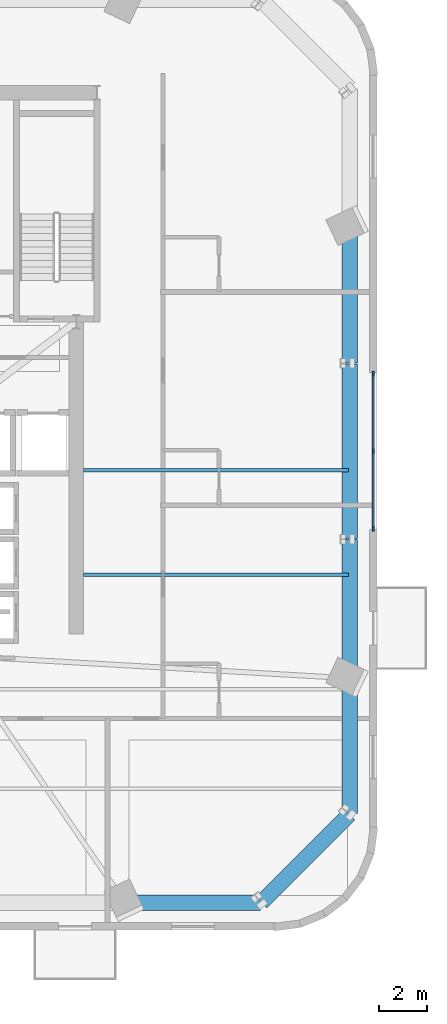
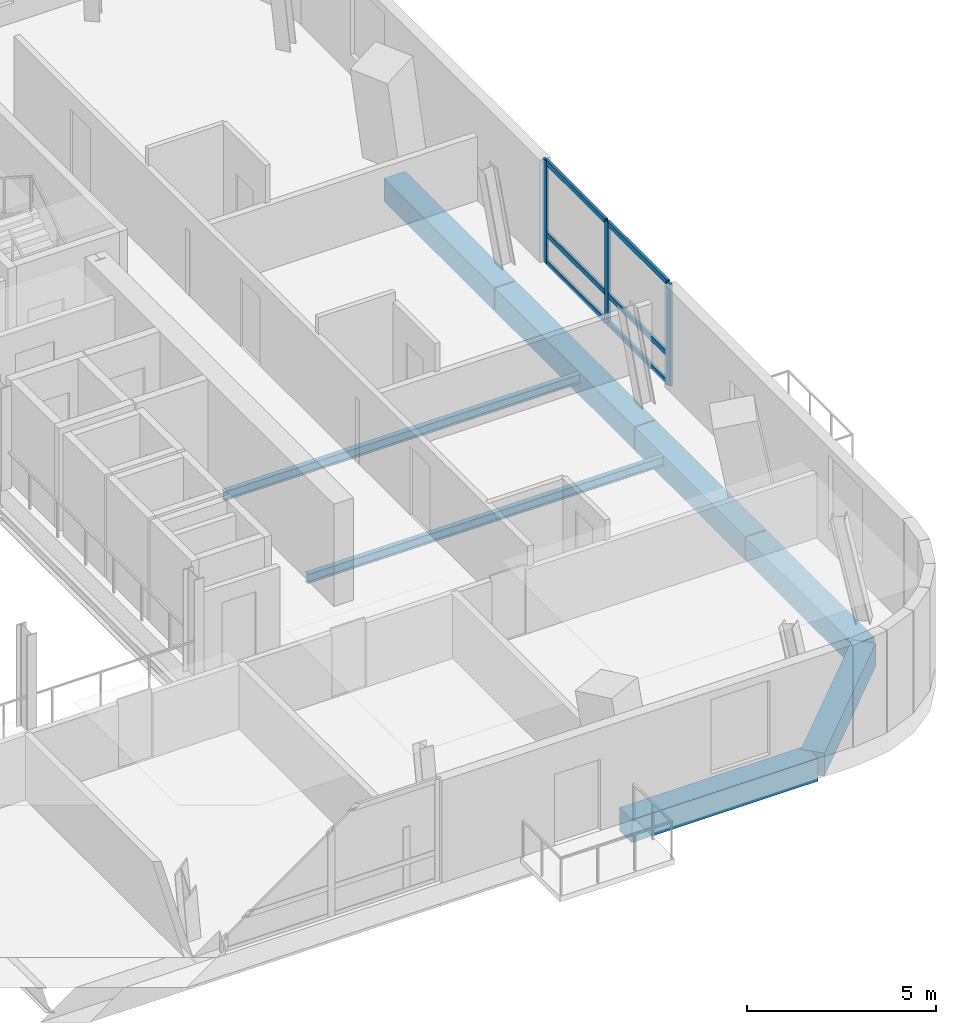
# One storey, part 4 of 13: 9 members, 8 beams, 1 element without a shape of its own.
"""IFC4 building model written with IfcOpenShell, lengths in metres."""

import ifcopenshell
import ifcopenshell.guid

model = None  # the IFC model being written
_history = None  # IfcOwnerHistory: only IFC2X3 demands one
_inside = {}  # id of a spatial element -> (the spatial element, [elements in it])
_under = {}  # id of a project, library or spatial element -> (it, [spatial elements below it])
_declared = {}  # id of a project -> (the project, [libraries it declares])
_typed = {}  # id of a type object -> (the type object, [elements of that type])
_made_of = {}  # id of a material, layer set ... -> (it, [elements and type objects made of it])


def new_model(schema):
    """Start an empty IFC model of exactly this schema.

    Asked for "IFC4X3", IfcOpenShell would pick the latest addendum, in which some entities
    have other attributes; the version numbers below select the first issue.
    IFC2X3 requires an IfcOwnerHistory on every rooted entity: one is made here for all.
    """
    global model, _history
    if schema == "IFC4X3":
        model = ifcopenshell.file(schema_version=(4, 3, 0, 0))
    else:
        model = ifcopenshell.file(schema=schema)
    _inside.clear()
    _under.clear()
    _declared.clear()
    _typed.clear()
    _made_of.clear()
    _history = None
    if model.schema == "IFC2X3":
        org = make("IfcOrganization", Name="unknown")
        user = make(
            "IfcPersonAndOrganization",
            ThePerson=make("IfcPerson", FamilyName="unknown"),
            TheOrganization=org,
        )
        app = make(
            "IfcApplication",
            ApplicationDeveloper=org,
            Version="unknown",
            ApplicationFullName="unknown",
            ApplicationIdentifier="unknown",
        )
        _history = make(
            "IfcOwnerHistory",
            OwningUser=user,
            OwningApplication=app,
            ChangeAction="ADDED",
            CreationDate=0,
        )
    return model


def make(cls, **values):
    """One entity of the class cls with the attributes given. An attribute that is None is left unset."""
    return model.create_entity(
        cls, **{name: value for name, value in values.items() if value is not None}
    )


def rooted(cls, **values):
    """An entity with a GlobalId (a new one), such as an element, a storey or a relation."""
    return make(cls, GlobalId=ifcopenshell.guid.new(), OwnerHistory=_history, **values)


def si_unit(unit_type, name, prefix=None):
    """IfcSIUnit, for example si_unit("LENGTHUNIT", "METRE", prefix="MILLI")."""
    return make("IfcSIUnit", UnitType=unit_type, Prefix=prefix, Name=name)


def assignment(units):
    """IfcUnitAssignment: the units of a project."""
    return None if units is None else make("IfcUnitAssignment", Units=units)


def point(xyz):
    """IfcCartesianPoint."""
    return None if xyz is None else make("IfcCartesianPoint", Coordinates=xyz)


def direction(xyz):
    """IfcDirection."""
    return None if xyz is None else make("IfcDirection", DirectionRatios=xyz)


def frame(location, z_axis=None, x_axis=None):
    """IfcAxis2Placement3D, a coordinate frame: its origin and axes. An axis left out is left unset."""
    return make(
        "IfcAxis2Placement3D",
        Location=point(location),
        Axis=direction(z_axis),
        RefDirection=direction(x_axis),
    )


def frame_2d(location, x_axis=None):
    """IfcAxis2Placement2D, a coordinate frame in the plane: its origin and x axis."""
    return make(
        "IfcAxis2Placement2D", Location=point(location), RefDirection=direction(x_axis)
    )


def origin():
    """The frame at (0, 0, 0) with its axes left unset."""
    return frame((0.0, 0.0, 0.0))


def origin_2d():
    """The frame at (0, 0) in the plane with its x axis left unset."""
    return frame_2d((0.0, 0.0))


def place(relative_to, where):
    """IfcLocalPlacement: puts the frame where relative to a parent placement (None: the world)."""
    return make(
        "IfcLocalPlacement", PlacementRelTo=relative_to, RelativePlacement=where
    )


def context(
    kind, dimensions, precision=None, world=None, true_north=None, identifier=None
):
    """IfcGeometricRepresentationContext, for example the 3D "Model" context."""
    return make(
        "IfcGeometricRepresentationContext",
        ContextIdentifier=identifier,
        ContextType=kind,
        CoordinateSpaceDimension=dimensions,
        Precision=precision,
        WorldCoordinateSystem=world,
        TrueNorth=true_north,
    )


def subcontext(parent, identifier, kind, view, scale=None):
    """IfcGeometricRepresentationSubContext, for example "Body" below "Model"."""
    return make(
        "IfcGeometricRepresentationSubContext",
        ContextIdentifier=identifier,
        ContextType=kind,
        ParentContext=parent,
        TargetScale=scale,
        TargetView=view,
    )


def project(units=None, contexts=None):
    """IfcProject with its units and contexts."""
    return rooted(
        "IfcProject",
        Name="project",
        RepresentationContexts=contexts,
        UnitsInContext=assignment(units),
    )


def spatial(cls, under=None, at=None, **own):
    """A site, building, storey or space (cls), placed at a placement, below another one or the project."""
    s = rooted(cls, ObjectPlacement=at, **own)
    if under is not None:
        _under.setdefault(under.id(), (under, []))[1].append(s)
    return s


def profile(cls, at=None, kind="AREA", **sizes):
    """A parametric profile (cls). Its sizes go by their IFC names, for example OverallWidth=200.0."""
    return make(cls, ProfileType=kind, Position=at, **sizes)


def rectangle(**sizes):
    """IfcRectangleProfileDef."""
    return profile("IfcRectangleProfileDef", **sizes)


def i_section(**sizes):
    """IfcIShapeProfileDef."""
    return profile("IfcIShapeProfileDef", **sizes)


def extrude(swept, where, along, depth):
    """IfcExtrudedAreaSolid: the profile swept, set in the frame where, extruded along a direction by depth."""
    return make(
        "IfcExtrudedAreaSolid",
        SweptArea=swept,
        Position=where,
        ExtrudedDirection=direction(along),
        Depth=depth,
    )


def shape(context_of_items, identifier, shape_type, items):
    """IfcShapeRepresentation: the items that make up one representation, for example the "Body"."""
    return make(
        "IfcShapeRepresentation",
        ContextOfItems=context_of_items,
        RepresentationIdentifier=identifier,
        RepresentationType=shape_type,
        Items=items,
    )


def source(mapping_origin, context_of_items, identifier, shape_type, items):
    """IfcRepresentationMap: a shape defined once, which mapped items show again and again."""
    return make(
        "IfcRepresentationMap",
        MappingOrigin=mapping_origin,
        MappedRepresentation=shape(context_of_items, identifier, shape_type, items),
    )


def transform(
    local_origin,
    x_axis=None,
    y_axis=None,
    z_axis=None,
    scale=None,
    scale2=None,
    scale3=None,
    uniform=True,
):
    """IfcCartesianTransformationOperator3D, or its non-uniform kind. x_axis, y_axis, z_axis: its Axis1, 2, 3."""
    if uniform:
        return make(
            "IfcCartesianTransformationOperator3D",
            Axis1=direction(x_axis),
            Axis2=direction(y_axis),
            LocalOrigin=point(local_origin),
            Scale=scale,
            Axis3=direction(z_axis),
        )
    return make(
        "IfcCartesianTransformationOperator3DnonUniform",
        Axis1=direction(x_axis),
        Axis2=direction(y_axis),
        LocalOrigin=point(local_origin),
        Scale=scale,
        Axis3=direction(z_axis),
        Scale2=scale2,
        Scale3=scale3,
    )


def mapped(mapping_source, mapping_target):
    """IfcMappedItem: shows the shape of a source again, moved by a transform."""
    return make(
        "IfcMappedItem", MappingSource=mapping_source, MappingTarget=mapping_target
    )


def material(Name=None, Category=None):
    """IfcMaterial."""
    return make("IfcMaterial", Name=Name, Category=Category)


def material_profile(
    of_material, cross_section, Name=None, Category=None, Priority=None
):
    """IfcMaterialProfile: a cross section and its material."""
    return make(
        "IfcMaterialProfile",
        Name=Name,
        Material=of_material,
        Profile=cross_section,
        Priority=Priority,
        Category=Category,
    )


def profile_set(profiles, Name=None, composite=None):
    """IfcMaterialProfileSet."""
    return make(
        "IfcMaterialProfileSet",
        Name=Name,
        MaterialProfiles=profiles,
        CompositeProfile=composite,
    )


def made_of(thing, what):
    """Note that an element or type object is made of a material, layer set ...; save() writes the relation."""
    if what is not None:
        _made_of.setdefault(what.id(), (what, []))[1].append(thing)
    return thing


def type_object(cls, material=None, **own):
    """A type object (cls), such as IfcWallType, which elements share."""
    return made_of(rooted(cls, **own), material)


def element(
    cls,
    number,
    at=None,
    inside=None,
    cuts=None,
    type_object=None,
    material=None,
    context=None,
    identifier="Body",
    shape_type=None,
    held_by="IfcProductDefinitionShape",
    body=None,
    shapes=None,
    **own,
):
    """One element of the class cls, such as IfcWall. Its Tag is "e" and its number.

    at: its placement. inside: the storey or other place that contains it. cuts: it is an
    opening in that element (IfcRelVoidsElement). A single representation is given by context,
    identifier, shape_type and body (its items); several are given by shapes. held_by: the class
    of the entity that holds the representations. save() writes the other relations.
    """
    e = rooted(cls, Tag="e%d" % number, ObjectPlacement=at, **own)
    if body is not None:
        shapes = [shape(context, identifier, shape_type, body)]
    if shapes is not None:
        e.Representation = make(held_by, Representations=shapes)
    if inside is not None:
        _inside.setdefault(inside.id(), (inside, []))[1].append(e)
    if cuts is not None:
        rooted(
            "IfcRelVoidsElement", RelatingBuildingElement=cuts, RelatedOpeningElement=e
        )
    if type_object is not None:
        _typed.setdefault(type_object.id(), (type_object, []))[1].append(e)
    return made_of(e, material)


def aggregate(whole, parts):
    """IfcRelAggregates: a whole, such as a stair, and the parts it consists of."""
    return rooted("IfcRelAggregates", RelatingObject=whole, RelatedObjects=parts)


def save(model, path):
    """Write the relations noted so far, then the file.

    IfcRelAggregates (storeys below a building ...), IfcRelContainedInSpatialStructure (elements
    in a storey), IfcRelDefinesByType, IfcRelAssociatesMaterial and IfcRelDeclares: one each for
    every whole, place, type object, material and project.
    """
    for whole, parts in _under.values():
        aggregate(whole, parts)
    for where, things in _inside.values():
        rooted(
            "IfcRelContainedInSpatialStructure",
            RelatedElements=things,
            RelatingStructure=where,
        )
    for kind, things in _typed.values():
        rooted("IfcRelDefinesByType", RelatedObjects=things, RelatingType=kind)
    for what, things in _made_of.values():
        rooted("IfcRelAssociatesMaterial", RelatedObjects=things, RelatingMaterial=what)
    for by, libraries in _declared.values():
        rooted("IfcRelDeclares", RelatingContext=by, RelatedDefinitions=libraries)
    model.write(path)


model = new_model("IFC4")

# Units and contexts
model_context = context("Model", 3, precision=1e-05, world=origin(), true_north=direction((0.0, 1.0)))
body_context = subcontext(model_context, "Body", "Model", "MODEL_VIEW")
ifc_project = project(units=[si_unit("LENGTHUNIT", "METRE"), si_unit("AREAUNIT", "SQUARE_METRE"), si_unit("VOLUMEUNIT", "CUBIC_METRE"), si_unit("PLANEANGLEUNIT", "RADIAN"), si_unit("MASSUNIT", "GRAM", prefix="KILO")], contexts=[model_context])

# Site, building, storey
site_placement = place(None, origin())
site = spatial("IfcSite", under=ifc_project, at=site_placement, CompositionType="ELEMENT")
building_placement = place(site_placement, origin())
building = spatial("IfcBuilding", under=site, at=building_placement, Name="Vardaveli Station Tower", CompositionType="ELEMENT")
storey_placement = place(building_placement, frame((0.0, 0.0, 278.25)))
storey = spatial("IfcBuildingStorey", under=building, at=storey_placement, Name="L71", CompositionType="ELEMENT", Elevation=278.25)

# Beams
ifc_material_1 = material(Name="Precast concrete C45/55", Category="concrete")
ifc_material_profile_1 = material_profile(ifc_material_1, rectangle(XDim=0.64990234375, YDim=0.75, at=origin_2d()), Name="LPB 650x750")
ifc_profile_set_1 = profile_set([ifc_material_profile_1], Name="Precast concrete C45/55")
beam_type_1 = type_object("IfcBeamType", Name="BM-LPB-750", PredefinedType="BEAM", material=ifc_profile_set_1)
shared_shape_1 = source(origin(), body_context, "Body", "SweptSolid", [
    extrude(rectangle(XDim=0.64990234375, YDim=0.75, at=origin_2d()), origin(), (0.0, 0.0, 1.0), 7.35986328125),
])
beam_1_placement = place(storey_placement, frame((58.010009765625, 21.52001953125, -1.02490234375), z_axis=(0.0, 1.0, 0.0), x_axis=(-1.0, 0.0, 0.0)))
element("IfcBeam", 1, at=beam_1_placement, inside=storey, type_object=beam_type_1, Name="RBM-L71-08", PredefinedType="BEAM", context=body_context, shape_type="MappedRepresentation", body=[
    mapped(shared_shape_1, transform((0.0, 0.0, 0.0), scale=1.0)),
])
shared_shape_2 = source(origin(), body_context, "Body", "SweptSolid", [
    extrude(rectangle(XDim=0.64990234375, YDim=0.75, at=origin_2d()), origin(), (0.0, 0.0, 1.0), 5.815673828125),
])
for number, where, z_axis, x_axis, name in (
    (2, (58.010009765625, 15.664306640625, -1.02490234375), (0.0, 1.0, 0.0), (-1.0, 0.0, 0.0), "RBM-L71-07"),
    (3, (58.010009765625, 28.919921875, -1.02490234375), (0.0, 1.0, 0.0), (-1.0, 0.0, 0.0), "RBM-L71-09"),
):
    element("IfcBeam", number, at=place(storey_placement, frame(where, z_axis=z_axis, x_axis=x_axis)), inside=storey, type_object=beam_type_1, Name=name, PredefinedType="BEAM", context=body_context, shape_type="MappedRepresentation", body=[
        mapped(shared_shape_2, transform((0.0, 0.0, 0.0), scale=1.0)),
    ])
shared_shape_3 = source(origin(), body_context, "Body", "SweptSolid", [
    extrude(rectangle(XDim=0.64990234375, YDim=0.75, at=origin_2d()), origin(), (0.0, 0.0, 1.0), 5.680419921875),
])
for number, where, z_axis, x_axis, name in (
    (4, (48.57568359375, 6.18994140625, -1.02490234375), (1.0, 0.0, 0.0), (0.0, 1.0, 0.0), "RBM-L71-04"),
    (5, (58.010009765625, 9.944091796875, -1.02490234375), (0.0, 1.0, 0.0), (-1.0, 0.0, 0.0), "RBM-L71-06"),
):
    element("IfcBeam", number, at=place(storey_placement, frame(where, z_axis=z_axis, x_axis=x_axis)), inside=storey, type_object=beam_type_1, Name=name, PredefinedType="BEAM", context=body_context, shape_type="MappedRepresentation", body=[
        mapped(shared_shape_3, transform((0.0, 0.0, 0.0), scale=1.0)),
    ])
shared_shape_4 = source(origin(), body_context, "Body", "SweptSolid", [
    extrude(rectangle(XDim=0.64990234375, YDim=0.75, at=origin_2d()), origin(), (0.0, 0.0, 1.0), 5.24072265625),
])
beam_2_placement = place(storey_placement, frame((54.2900390625, 6.2041015625, -1.02490234375), z_axis=(0.707106781187, 0.707106781187, 0.0), x_axis=(-0.707106781187, 0.707106781187, 0.0)))
element("IfcBeam", 6, at=beam_2_placement, inside=storey, type_object=beam_type_1, Name="RBM-L71-05", PredefinedType="BEAM", context=body_context, shape_type="MappedRepresentation", body=[
    mapped(shared_shape_4, transform((0.0, 0.0, 0.0), scale=1.0)),
])
ifc_material_2 = material(Name="Structural steel S355J2", Category="steel")
ifc_material_profile_2 = material_profile(ifc_material_2, i_section(OverallWidth=0.14990234375, OverallDepth=0.300048828125, WebThickness=0.007080078125, FlangeThickness=0.0107421875, FilletRadius=0.014892578125, at=origin_2d()), Name="IPE 300")
ifc_profile_set_2 = profile_set([ifc_material_profile_2], Name="Structural steel S355J2")
beam_type_2 = type_object("IfcBeamType", Name="BM-IPE300", PredefinedType="JOIST", material=ifc_profile_set_2)
shared_shape_5 = source(origin(), body_context, "Body", "SweptSolid", [
    extrude(i_section(OverallWidth=0.14990234375, OverallDepth=0.300048828125, WebThickness=0.007080078125, FlangeThickness=0.0107421875, FilletRadius=0.014892578125, at=origin_2d()), origin(), (0.0, 0.0, 1.0), 11.1650390625),
])
for number, where, z_axis, x_axis, name in (
    (7, (46.804931640625, 20.0, -0.800048828125), (1.0, 0.0, 0.0), (0.0, 1.0, 0.0), "SJ-L71-E09"),
    (8, (46.804931640625, 24.39990234375, -0.800048828125), (1.0, 0.0, 0.0), (0.0, 1.0, 0.0), "SJ-L71-E10"),
):
    element("IfcBeam", number, at=place(storey_placement, frame(where, z_axis=z_axis, x_axis=x_axis)), inside=storey, type_object=beam_type_2, Name=name, PredefinedType="JOIST", context=body_context, shape_type="MappedRepresentation", body=[
        mapped(shared_shape_5, transform((0.0, 0.0, 0.0), scale=1.0)),
    ])

# Curtain wall, members
ifc_material_3 = material(Name="Travertine stone and solar-control glass", Category="masonry")
curtain_wall_type = type_object("IfcCurtainWallType", Name="CW-SYS-5", PredefinedType="NOTDEFINED", material=ifc_material_3)
curtain_wall_placement = place(storey_placement, origin())
curtain_wall = element("IfcCurtainWall", 9, at=curtain_wall_placement, inside=storey, type_object=curtain_wall_type, Name="CW-L71-E", PredefinedType="NOTDEFINED")
ifc_material_4 = material(Name="Anodised aluminium alloy 6063-T6", Category="aluminium")
ifc_material_profile_3 = material_profile(ifc_material_4, rectangle(XDim=0.080078125, YDim=0.1650390625, at=origin_2d()), Name="CWT 80x165")
ifc_profile_set_3 = profile_set([ifc_material_profile_3], Name="Anodised aluminium alloy 6063-T6")
member_type_1 = type_object("IfcMemberType", Name="CW-SYS-5-TRAN", PredefinedType="NOTDEFINED", material=ifc_profile_set_3)
shared_shape_6 = source(origin(), body_context, "Body", "SweptSolid", [
    extrude(rectangle(XDim=0.080078125, YDim=0.1650390625, at=origin_2d()), origin(), (0.0, 0.0, 1.0), 3.179931640625),
])
member_1_placement = place(storey_placement, frame((59.0, 21.97998046875, 0.0400390625), z_axis=(0.0, 1.0, 0.0), x_axis=(-1.0, 0.0, 0.0)))
member_1 = element("IfcMember", 10, at=member_1_placement, type_object=member_type_1, Name="CW-5 transom 1.1", ObjectType="TRANSOM", PredefinedType="USERDEFINED", context=body_context, shape_type="MappedRepresentation", body=[
    mapped(shared_shape_6, transform((0.0, 0.0, 0.0), scale=1.0)),
])
member_2_placement = place(storey_placement, frame((59.0, 21.97998046875, 0.949951171875), z_axis=(0.0, 1.0, 0.0), x_axis=(-1.0, 0.0, 0.0)))
member_2 = element("IfcMember", 11, at=member_2_placement, type_object=member_type_1, Name="CW-5 transom 1.2", ObjectType="TRANSOM", PredefinedType="USERDEFINED", context=body_context, shape_type="MappedRepresentation", body=[
    mapped(shared_shape_6, transform((0.0, 0.0, 0.0), scale=1.0)),
])
member_3_placement = place(storey_placement, frame((59.0, 21.97998046875, 3.260009765625), z_axis=(0.0, 1.0, 0.0), x_axis=(-1.0, 0.0, 0.0)))
member_3 = element("IfcMember", 12, at=member_3_placement, type_object=member_type_1, Name="CW-5 transom 1.3", ObjectType="TRANSOM", PredefinedType="USERDEFINED", context=body_context, shape_type="MappedRepresentation", body=[
    mapped(shared_shape_6, transform((0.0, 0.0, 0.0), scale=1.0)),
])
member_4_placement = place(storey_placement, frame((59.0, 25.239990234375, 0.0400390625), z_axis=(0.0, 1.0, 0.0), x_axis=(-1.0, 0.0, 0.0)))
member_4 = element("IfcMember", 13, at=member_4_placement, type_object=member_type_1, Name="CW-5 transom 2.1", ObjectType="TRANSOM", PredefinedType="USERDEFINED", context=body_context, shape_type="MappedRepresentation", body=[
    mapped(shared_shape_6, transform((0.0, 0.0, 0.0), scale=1.0)),
])
member_5_placement = place(storey_placement, frame((59.0, 25.239990234375, 0.949951171875), z_axis=(0.0, 1.0, 0.0), x_axis=(-1.0, 0.0, 0.0)))
member_5 = element("IfcMember", 14, at=member_5_placement, type_object=member_type_1, Name="CW-5 transom 2.2", ObjectType="TRANSOM", PredefinedType="USERDEFINED", context=body_context, shape_type="MappedRepresentation", body=[
    mapped(shared_shape_6, transform((0.0, 0.0, 0.0), scale=1.0)),
])
member_6_placement = place(storey_placement, frame((59.0, 25.239990234375, 3.260009765625), z_axis=(0.0, 1.0, 0.0), x_axis=(-1.0, 0.0, 0.0)))
member_6 = element("IfcMember", 15, at=member_6_placement, type_object=member_type_1, Name="CW-5 transom 2.3", ObjectType="TRANSOM", PredefinedType="USERDEFINED", context=body_context, shape_type="MappedRepresentation", body=[
    mapped(shared_shape_6, transform((0.0, 0.0, 0.0), scale=1.0)),
])
ifc_material_profile_4 = material_profile(ifc_material_4, rectangle(XDim=0.080078125, YDim=0.205078125, at=origin_2d()), Name="CWM 80x205")
ifc_profile_set_4 = profile_set([ifc_material_profile_4], Name="Anodised aluminium alloy 6063-T6")
member_type_2 = type_object("IfcMemberType", Name="CW-SYS-5-MULL", PredefinedType="MULLION", material=ifc_profile_set_4)
shared_shape_7 = source(origin(), body_context, "Body", "SweptSolid", [
    extrude(rectangle(XDim=0.080078125, YDim=0.205078125, at=origin_2d()), origin(), (0.0, 0.0, 1.0), 3.300048828125),
])
member_7_placement = place(storey_placement, frame((59.0, 21.93994140625, 0.0), z_axis=(0.0, 0.0, 1.0), x_axis=(-1.0, 0.0, 0.0)))
member_7 = element("IfcMember", 16, at=member_7_placement, type_object=member_type_2, Name="CW-5 mullion 1", PredefinedType="MULLION", context=body_context, shape_type="MappedRepresentation", body=[
    mapped(shared_shape_7, transform((0.0, 0.0, 0.0), scale=1.0)),
])
member_8_placement = place(storey_placement, frame((59.0, 25.199951171875, 0.0), z_axis=(0.0, 0.0, 1.0), x_axis=(-1.0, 0.0, 0.0)))
member_8 = element("IfcMember", 17, at=member_8_placement, type_object=member_type_2, Name="CW-5 mullion 2", PredefinedType="MULLION", context=body_context, shape_type="MappedRepresentation", body=[
    mapped(shared_shape_7, transform((0.0, 0.0, 0.0), scale=1.0)),
])
member_9_placement = place(storey_placement, frame((59.0, 28.4599609375, 0.0), z_axis=(0.0, 0.0, 1.0), x_axis=(-1.0, 0.0, 0.0)))
member_9 = element("IfcMember", 18, at=member_9_placement, type_object=member_type_2, Name="CW-5 mullion 3", PredefinedType="MULLION", context=body_context, shape_type="MappedRepresentation", body=[
    mapped(shared_shape_7, transform((0.0, 0.0, 0.0), scale=1.0)),
])
aggregate(curtain_wall, [member_7, member_8, member_9, member_1, member_2, member_3, member_4, member_5, member_6])

save(model, "model.ifc")
